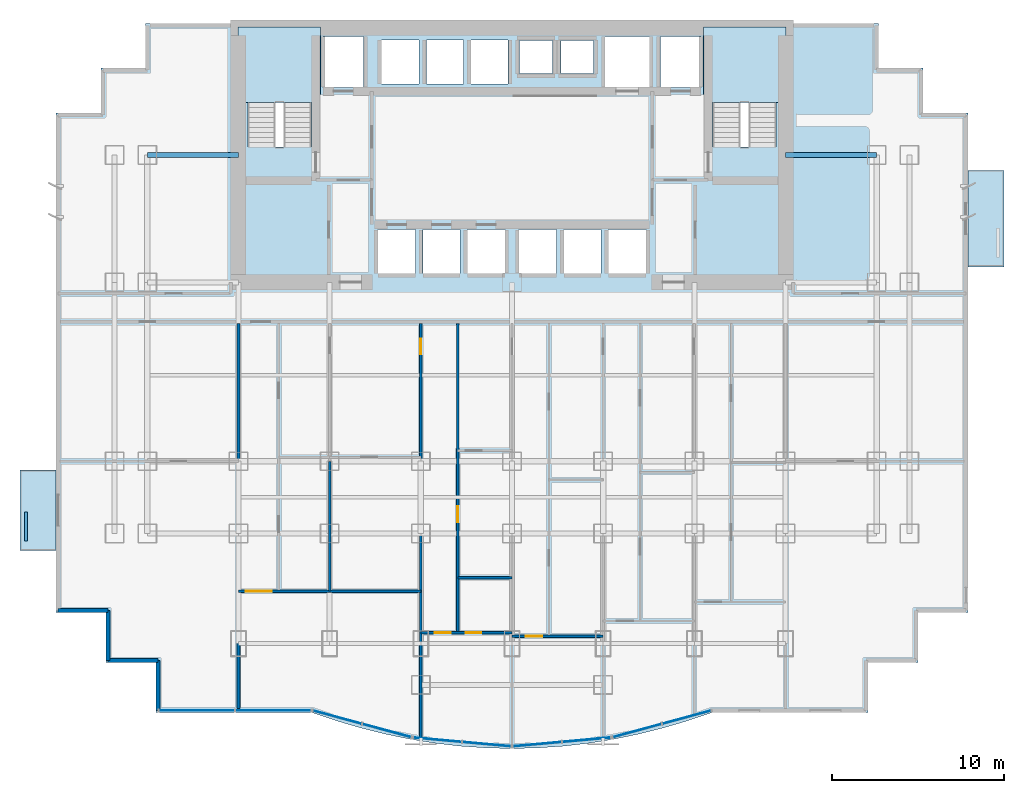
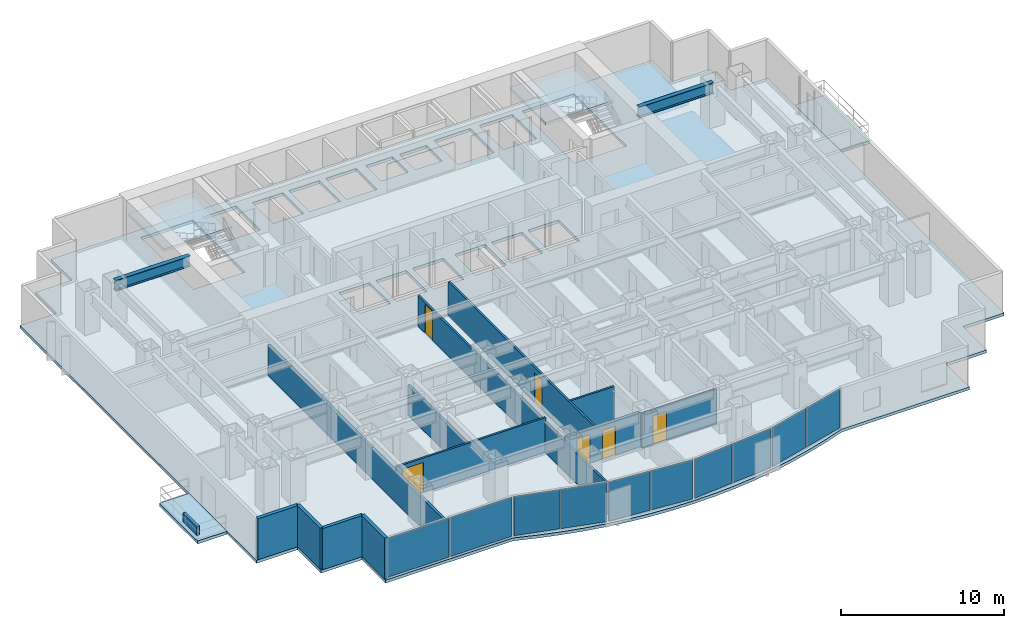
# One storey, part 4 of 10: 13 walls, 10 plates, 6 doors, 5 slabs, 2 beams, 6 openings, 7 elements without a shape of their own.
"""IFC4 building model written with IfcOpenShell, lengths in metres."""

from ifc_helpers import new_model, si_unit, direction, frame, frame_2d, origin, origin_2d, place, context, subcontext, project, spatial, polyline, rectangle, i_section, outline, extrude, source, transform, mapped, material, layer, layer_set, material_profile, profile_set, type_object, element, fill, aggregate, save


model = new_model("IFC4")

# Units and contexts
model_context = context("Model", 3, precision=1e-05, world=origin(), true_north=direction((0.0, 1.0)))
body_context = subcontext(model_context, "Body", "Model", "MODEL_VIEW")
ifc_project = project(units=[si_unit("LENGTHUNIT", "METRE"), si_unit("AREAUNIT", "SQUARE_METRE"), si_unit("VOLUMEUNIT", "CUBIC_METRE"), si_unit("PLANEANGLEUNIT", "RADIAN"), si_unit("MASSUNIT", "GRAM", prefix="KILO")], contexts=[model_context])

# Site, building, storey
site_placement = place(None, origin())
site = spatial("IfcSite", under=ifc_project, at=site_placement, CompositionType="ELEMENT")
building_placement = place(site_placement, origin())
building = spatial("IfcBuilding", under=site, at=building_placement, Name="Qianlan Lanfeng Residences", CompositionType="ELEMENT")
storey_placement = place(building_placement, frame((0.0, 0.0, 57.199951171875)))
storey = spatial("IfcBuildingStorey", under=building, at=storey_placement, Name="L15", CompositionType="ELEMENT", Elevation=57.199951171875)

# Beams
ifc_material_1 = material(Name="Steel SN490B", Category="steel")
ifc_material_profile = material_profile(ifc_material_1, i_section(OverallWidth=0.300048828125, OverallDepth=0.800048828125, WebThickness=0.01611328125, FlangeThickness=0.028076171875, at=origin_2d()), Name="H 800x300x16x28")
ifc_profile_set = profile_set([ifc_material_profile], Name="Steel SN490B")
beam_type = type_object("IfcBeamType", Name="G-950", PredefinedType="BEAM", material=ifc_profile_set)
for number, where, z_axis, x_axis, name in (
    (1, (5.300048828125, 32.60009765625, 2.679931640625), (1.0, 0.0, 0.0), (0.0, 1.0, 0.0), "Structural beam G-950"),
    (2, (42.39990234375, 32.60009765625, 2.679931640625), (1.0, 0.0, 0.0), (0.0, 1.0, 0.0), "Structural beam G-950"),
):
    element("IfcBeam", number, at=place(storey_placement, frame(where, z_axis=z_axis, x_axis=x_axis)), inside=storey, type_object=beam_type, Name=name, PredefinedType="BEAM", context=body_context, shape_type="SweptSolid", body=[
        extrude(i_section(OverallWidth=0.300048828125, OverallDepth=0.800048828125, WebThickness=0.01611328125, FlangeThickness=0.028076171875, at=origin_2d()), origin(), (0.0, 0.0, 1.0), 5.300048828125),
    ])

# Slabs
ifc_material_2 = material(Name="Concrete C42", Category="concrete")
ifc_layer_1 = layer(ifc_material_2, 0.219970703125)
ifc_layer_set_1 = layer_set([ifc_layer_1], Name="Concrete C42")
slab_type_1 = type_object("IfcSlabType", Name="S-BAL-220", PredefinedType="FLOOR", material=ifc_layer_set_1)
slab_1_placement = place(storey_placement, frame((0.0, 0.0, -0.219970703125)))
element("IfcSlab", 3, at=slab_1_placement, inside=storey, type_object=slab_type_1, Name="L15 Planted Tree Balcony Slab WB-S", PredefinedType="FLOOR", context=body_context, shape_type="SweptSolid", body=[
    extrude(outline(polyline([(0.0, 9.60009765625), (0.0, 14.300048828125), (-2.10009765625, 14.300048828125), (-2.10009765625, 9.60009765625), (0.0, 9.60009765625)])), origin(), (0.0, 0.0, 1.0), 0.219970703125),
])
slab_2_placement = place(storey_placement, frame((0.0, 0.0, -0.219970703125)))
element("IfcSlab", 4, at=slab_2_placement, inside=storey, type_object=slab_type_1, Name="L15 Planted Tree Balcony Slab EB-N", PredefinedType="FLOOR", context=body_context, shape_type="SweptSolid", body=[
    extrude(outline(polyline([(53.0, 31.699951171875), (53.0, 26.10009765625), (55.10009765625, 26.10009765625), (55.10009765625, 31.699951171875), (53.0, 31.699951171875)])), origin(), (0.0, 0.0, 1.0), 0.219970703125),
])
ifc_layer_2 = layer(ifc_material_2, 0.219970703125)
ifc_layer_set_2 = layer_set([ifc_layer_2], Name="Concrete C42")
slab_type_2 = type_object("IfcSlabType", Name="S-FL-220", PredefinedType="FLOOR", material=ifc_layer_set_2)
slab_3_placement = place(storey_placement, frame((0.0, 0.0, -0.219970703125)))
element("IfcSlab", 5, at=slab_3_placement, inside=storey, type_object=slab_type_2, Name="L15 Structural Floor Slab", PredefinedType="FLOOR", context=body_context, shape_type="SweptSolid", body=[
    extrude(outline(polyline([(0.0, 6.0), (2.89990234375, 6.0), (2.89990234375, 3.10009765625), (5.800048828125, 3.10009765625), (5.800048828125, 0.199951171875), (14.85009765625, 0.199951171875), (16.305908203125, -0.2919921875), (17.761962890625, -0.718994140625), (19.218994140625, -1.080078125), (20.675048828125, -1.375), (22.131103515625, -1.60498046875), (23.5869140625, -1.76904296875), (25.0439453125, -1.866943359375), (26.5, -1.89990234375), (27.9560546875, -1.866943359375), (29.412109375, -1.76904296875), (30.868896484375, -1.60498046875), (32.324951171875, -1.375), (33.781005859375, -1.080078125), (35.237060546875, -0.718994140625), (36.694091796875, -0.2919921875), (38.14990234375, 0.199951171875), (47.199951171875, 0.199951171875), (47.199951171875, 3.10009765625), (50.10009765625, 3.10009765625), (50.10009765625, 6.0), (53.0, 6.0), (53.0, 35.050048828125), (50.39990234375, 35.050048828125), (50.39990234375, 37.64990234375), (47.800048828125, 37.64990234375), (47.800048828125, 40.25), (5.199951171875, 40.25), (5.199951171875, 37.64990234375), (2.60009765625, 37.64990234375), (2.60009765625, 35.050048828125), (0.0, 35.050048828125), (0.0, 6.0)]), holes=[polyline([(11.139892578125, 33.080078125), (11.139892578125, 39.5), (14.820068359375, 39.5), (14.820068359375, 33.080078125), (11.139892578125, 33.080078125)]), polyline([(38.179931640625, 33.080078125), (38.179931640625, 39.5), (41.860107421875, 39.5), (41.860107421875, 33.080078125), (38.179931640625, 33.080078125)]), polyline([(15.52001953125, 36.52001953125), (15.52001953125, 39.47998046875), (17.8798828125, 39.47998046875), (17.8798828125, 36.52001953125), (15.52001953125, 36.52001953125)]), polyline([(35.1201171875, 36.52001953125), (35.1201171875, 39.47998046875), (37.47998046875, 39.47998046875), (37.47998046875, 36.52001953125), (35.1201171875, 36.52001953125)]), polyline([(31.919921875, 36.52001953125), (31.919921875, 39.47998046875), (34.47998046875, 39.47998046875), (34.47998046875, 36.52001953125), (31.919921875, 36.52001953125)]), polyline([(18.719970703125, 25.719970703125), (18.719970703125, 28.280029296875), (20.8798828125, 28.280029296875), (20.8798828125, 25.719970703125), (18.719970703125, 25.719970703125)]), polyline([(21.320068359375, 25.719970703125), (21.320068359375, 28.280029296875), (23.47998046875, 28.280029296875), (23.47998046875, 25.719970703125), (21.320068359375, 25.719970703125)]), polyline([(23.919921875, 25.719970703125), (23.919921875, 28.280029296875), (26.080078125, 28.280029296875), (26.080078125, 25.719970703125), (23.919921875, 25.719970703125)]), polyline([(26.919921875, 25.719970703125), (26.919921875, 28.280029296875), (29.080078125, 28.280029296875), (29.080078125, 25.719970703125), (26.919921875, 25.719970703125)]), polyline([(29.52001953125, 25.719970703125), (29.52001953125, 28.280029296875), (31.679931640625, 28.280029296875), (31.679931640625, 25.719970703125), (29.52001953125, 25.719970703125)]), polyline([(32.1201171875, 25.719970703125), (32.1201171875, 28.280029296875), (34.280029296875, 28.280029296875), (34.280029296875, 25.719970703125), (32.1201171875, 25.719970703125)]), polyline([(18.919921875, 36.719970703125), (18.919921875, 39.280029296875), (21.080078125, 39.280029296875), (21.080078125, 36.719970703125), (18.919921875, 36.719970703125)]), polyline([(21.52001953125, 36.719970703125), (21.52001953125, 39.280029296875), (23.679931640625, 39.280029296875), (23.679931640625, 36.719970703125), (21.52001953125, 36.719970703125)]), polyline([(24.1201171875, 36.719970703125), (24.1201171875, 39.280029296875), (26.280029296875, 39.280029296875), (26.280029296875, 36.719970703125), (24.1201171875, 36.719970703125)]), polyline([(26.949951171875, 37.35009765625), (26.949951171875, 39.25), (28.85009765625, 39.25), (28.85009765625, 37.35009765625), (26.949951171875, 37.35009765625)]), polyline([(29.35009765625, 37.35009765625), (29.35009765625, 39.25), (31.25, 39.25), (31.25, 37.35009765625), (29.35009765625, 37.35009765625)])]), origin(), (0.0, 0.0, 1.0), 0.219970703125),
])

# Stair, slab
stair_type = type_object("IfcStairType", Name="STR-MAIN", PredefinedType="HALF_TURN_STAIR", material=ifc_material_2)
stair_1_placement = place(storey_placement, origin())
stair_1 = element("IfcStair", 6, at=stair_1_placement, inside=storey, type_object=stair_type, Name="L15 Exit Stair ST-1", PredefinedType="HALF_TURN_STAIR")
ifc_layer_3 = layer(ifc_material_2, 0.179931640625)
ifc_layer_set_3 = layer_set([ifc_layer_3], Name="Concrete C42")
slab_type_3 = type_object("IfcSlabType", Name="S-LND-180", PredefinedType="LANDING", material=ifc_layer_set_3)
slab_4_placement = place(storey_placement, frame((0.0, 0.0, 1.449951171875)))
slab_4 = element("IfcSlab", 7, at=slab_4_placement, type_object=slab_type_3, Name="ST-1 landing 1", PredefinedType="LANDING", context=body_context, shape_type="SweptSolid", body=[
    extrude(outline(polyline([(10.580078125, 35.659912109375), (15.3798828125, 35.659912109375), (15.3798828125, 40.050048828125), (10.580078125, 40.050048828125), (10.580078125, 35.659912109375)])), origin(), (0.0, 0.0, 1.0), 0.2001953125),
])
aggregate(stair_1, [slab_4])

stair_2_placement = place(storey_placement, origin())
stair_2 = element("IfcStair", 8, at=stair_2_placement, inside=storey, type_object=stair_type, Name="L15 Exit Stair ST-2", PredefinedType="HALF_TURN_STAIR")
slab_5_placement = place(storey_placement, frame((0.0, 0.0, 1.449951171875)))
slab_5 = element("IfcSlab", 9, at=slab_5_placement, type_object=slab_type_3, Name="ST-2 landing 1", PredefinedType="LANDING", context=body_context, shape_type="SweptSolid", body=[
    extrude(outline(polyline([(37.6201171875, 35.659912109375), (42.419921875, 35.659912109375), (42.419921875, 40.050048828125), (37.6201171875, 40.050048828125), (37.6201171875, 35.659912109375)])), origin(), (0.0, 0.0, 1.0), 0.2001953125),
])
aggregate(stair_2, [slab_5])

# Curtain wall, plate
ifc_material_3 = material(Name="Anodised Bronze Aluminium 6063-T6", Category="aluminium")
ifc_layer_4 = layer(ifc_material_3, 0.219970703125)
ifc_layer_set_4 = layer_set([ifc_layer_4], Name="Anodised Bronze Aluminium 6063-T6")
curtain_wall_type = type_object("IfcCurtainWallType", Name="CW-02", PredefinedType="NOTDEFINED", material=ifc_layer_set_4)
curtain_wall_1_placement = place(storey_placement, origin())
curtain_wall_1 = element("IfcCurtainWall", 10, at=curtain_wall_1_placement, inside=storey, type_object=curtain_wall_type, Name="L15 Unitised Curtain Wall CWR-L15-04 (CW-02)", PredefinedType="NOTDEFINED")
ifc_material_4 = material(Name="Perforated Anodised Bronze Aluminium Panel", Category="aluminium")
ifc_layer_5 = layer(ifc_material_4, 0.0419921875)
ifc_layer_set_5 = layer_set([ifc_layer_5], Name="Perforated Anodised Bronze Aluminium Panel")
plate_type_1 = type_object("IfcPlateType", Name="PNL-PRF-BRZ", PredefinedType="CURTAIN_PANEL", material=ifc_layer_set_5)
shared_shape_1 = source(origin(), body_context, "Body", "SweptSolid", [
    extrude(rectangle(XDim=2.795654296875, YDim=0.0419921875, at=origin_2d()), origin(), (0.0, 0.0, 1.0), 2.922119140625),
])
plate_1_placement = place(storey_placement, frame((30.8330078125, -1.389404296875, 0.0791015625), z_axis=(0.0, 0.0, 1.0), x_axis=(0.995964677764, 0.089746089862, 0.0)))
plate_1 = element("IfcPlate", 11, at=plate_1_placement, type_object=plate_type_1, Name="CWR-L15-04 Curtain Panel 2", PredefinedType="CURTAIN_PANEL", context=body_context, shape_type="MappedRepresentation", body=[
    mapped(shared_shape_1, transform((0.0, 0.0, 0.0), scale=1.0)),
])

curtain_wall_2_placement = place(storey_placement, origin())
curtain_wall_2 = element("IfcCurtainWall", 12, at=curtain_wall_2_placement, inside=storey, type_object=curtain_wall_type, Name="L15 Unitised Curtain Wall CWR-L15-02 (CW-02)", PredefinedType="NOTDEFINED")
shared_shape_2 = source(origin(), body_context, "Body", "SweptSolid", [
    extrude(rectangle(XDim=2.89990234375, YDim=0.0419921875, at=origin_2d()), origin(), (0.0, 0.0, 1.0), 2.922119140625),
])
plate_2_placement = place(storey_placement, frame((19.22021484375, -0.857421875, 0.0791015625), z_axis=(0.0, 0.0, 1.0), x_axis=(0.9652627173, -0.261281240412, 0.0)))
plate_2 = element("IfcPlate", 13, at=plate_2_placement, type_object=plate_type_1, Name="CWR-L15-02 Curtain Panel 2", PredefinedType="CURTAIN_PANEL", context=body_context, shape_type="MappedRepresentation", body=[
    mapped(shared_shape_2, transform((0.0, 0.0, 0.0), scale=1.0)),
])

# Curtain wall, plates
curtain_wall_3_placement = place(storey_placement, origin())
curtain_wall_3 = element("IfcCurtainWall", 14, at=curtain_wall_3_placement, inside=storey, type_object=curtain_wall_type, Name="L15 Unitised Curtain Wall CWR-L15-01 (CW-02)", PredefinedType="NOTDEFINED")
ifc_material_5 = material(Name="Clear Low-E Insulated Glass", Category="glass")
ifc_layer_6 = layer(ifc_material_5, 0.035888671875)
ifc_layer_set_6 = layer_set([ifc_layer_6], Name="Clear Low-E Insulated Glass")
plate_type_2 = type_object("IfcPlateType", Name="PNL-GLZ-CLR", PredefinedType="CURTAIN_PANEL", material=ifc_layer_set_6)
shared_shape_3 = source(origin(), body_context, "Body", "SweptSolid", [
    extrude(rectangle(XDim=4.35693359375, YDim=0.035888671875, at=origin_2d()), origin(), (0.0, 0.0, 1.0), 2.922119140625),
])
plate_3_placement = place(storey_placement, frame((8.177490234375, 0.320068359375, 0.0791015625), z_axis=(0.0, 0.0, 1.0), x_axis=(1.0, 0.0, 0.0)))
plate_3 = element("IfcPlate", 15, at=plate_3_placement, type_object=plate_type_2, Name="CWR-L15-01 Curtain Panel 1", PredefinedType="CURTAIN_PANEL", context=body_context, shape_type="MappedRepresentation", body=[
    mapped(shared_shape_3, transform((0.0, 0.0, 0.0), scale=1.0)),
])
plate_4_placement = place(storey_placement, frame((12.612548828125, 0.320068359375, 0.0791015625), z_axis=(0.0, 0.0, 1.0), x_axis=(1.0, 0.0, 0.0)))
plate_4 = element("IfcPlate", 16, at=plate_4_placement, type_object=plate_type_2, Name="CWR-L15-01 Curtain Panel 2", PredefinedType="CURTAIN_PANEL", context=body_context, shape_type="MappedRepresentation", body=[
    mapped(shared_shape_3, transform((0.0, 0.0, 0.0), scale=1.0)),
])
aggregate(curtain_wall_3, [plate_3, plate_4])

# Plate
shared_shape_4 = source(origin(), body_context, "Body", "SweptSolid", [
    extrude(rectangle(XDim=2.89990234375, YDim=0.035888671875, at=origin_2d()), origin(), (0.0, 0.0, 1.0), 2.922119140625),
])
plate_5_placement = place(storey_placement, frame((16.345703125, -0.07958984375, 0.0791015625), z_axis=(0.0, 0.0, 1.0), x_axis=(0.9652627173, -0.261281240412, 0.0)))
plate_5 = element("IfcPlate", 17, at=plate_5_placement, type_object=plate_type_2, Name="CWR-L15-02 Curtain Panel 1", PredefinedType="CURTAIN_PANEL", context=body_context, shape_type="MappedRepresentation", body=[
    mapped(shared_shape_4, transform((0.0, 0.0, 0.0), scale=1.0)),
])

aggregate(curtain_wall_2, [plate_5, plate_2])

# Curtain wall, plates
curtain_wall_4_placement = place(storey_placement, origin())
curtain_wall_4 = element("IfcCurtainWall", 18, at=curtain_wall_4_placement, inside=storey, type_object=curtain_wall_type, Name="L15 Unitised Curtain Wall CWR-L15-05 (CW-02)", PredefinedType="NOTDEFINED")
plate_6_placement = place(storey_placement, frame((33.77978515625, -0.857421875, 0.0791015625), z_axis=(0.0, 0.0, 1.0), x_axis=(0.9652627173, 0.261281240412, 0.0)))
plate_6 = element("IfcPlate", 19, at=plate_6_placement, type_object=plate_type_2, Name="CWR-L15-05 Curtain Panel 1", PredefinedType="CURTAIN_PANEL", context=body_context, shape_type="MappedRepresentation", body=[
    mapped(shared_shape_4, transform((0.0, 0.0, 0.0), scale=1.0)),
])
plate_7_placement = place(storey_placement, frame((36.654296875, -0.07958984375, 0.0791015625), z_axis=(0.0, 0.0, 1.0), x_axis=(0.9652627173, 0.261281240412, 0.0)))
plate_7 = element("IfcPlate", 20, at=plate_7_placement, type_object=plate_type_2, Name="CWR-L15-05 Curtain Panel 2", PredefinedType="CURTAIN_PANEL", context=body_context, shape_type="MappedRepresentation", body=[
    mapped(shared_shape_4, transform((0.0, 0.0, 0.0), scale=1.0)),
])
aggregate(curtain_wall_4, [plate_6, plate_7])

# Curtain wall, plate
curtain_wall_5_placement = place(storey_placement, origin())
curtain_wall_5 = element("IfcCurtainWall", 21, at=curtain_wall_5_placement, inside=storey, type_object=curtain_wall_type, Name="L15 Unitised Curtain Wall CWR-L15-03 (CW-02)", PredefinedType="NOTDEFINED")
shared_shape_5 = source(origin(), body_context, "Body", "SweptSolid", [
    extrude(rectangle(XDim=2.7958984375, YDim=0.035888671875, at=origin_2d()), origin(), (0.0, 0.0, 1.0), 2.922119140625),
])
plate_8_placement = place(storey_placement, frame((22.1669921875, -1.389404296875, 0.0791015625), z_axis=(0.0, 0.0, 1.0), x_axis=(0.995964677764, -0.089746089862, 0.0)))
plate_8 = element("IfcPlate", 22, at=plate_8_placement, type_object=plate_type_2, Name="CWR-L15-03 Curtain Panel 1", PredefinedType="CURTAIN_PANEL", context=body_context, shape_type="MappedRepresentation", body=[
    mapped(shared_shape_5, transform((0.0, 0.0, 0.0), scale=1.0)),
])

# Plate
plate_9_placement = place(storey_placement, frame((27.970947265625, -1.6474609375, 0.0791015625), z_axis=(0.0, 0.0, 1.0), x_axis=(0.995964677764, 0.089746089862, 0.0)))
plate_9 = element("IfcPlate", 23, at=plate_9_placement, type_object=plate_type_2, Name="CWR-L15-04 Curtain Panel 1", PredefinedType="CURTAIN_PANEL", context=body_context, shape_type="MappedRepresentation", body=[
    mapped(shared_shape_5, transform((0.0, 0.0, 0.0), scale=1.0)),
])

aggregate(curtain_wall_1, [plate_9, plate_1])

shared_shape_6 = source(origin(), body_context, "Body", "SweptSolid", [
    extrude(rectangle(XDim=2.795654296875, YDim=0.035888671875, at=origin_2d()), origin(), (0.0, 0.0, 1.0), 2.922119140625),
])
plate_10_placement = place(storey_placement, frame((25.029052734375, -1.6474609375, 0.0791015625), z_axis=(0.0, 0.0, 1.0), x_axis=(0.995964677764, -0.089746089862, 0.0)))
plate_10 = element("IfcPlate", 24, at=plate_10_placement, type_object=plate_type_2, Name="CWR-L15-03 Curtain Panel 2", PredefinedType="CURTAIN_PANEL", context=body_context, shape_type="MappedRepresentation", body=[
    mapped(shared_shape_6, transform((0.0, 0.0, 0.0), scale=1.0)),
])

aggregate(curtain_wall_5, [plate_8, plate_10])

# Walls
ifc_layer_7 = layer(ifc_material_2, 0.239990234375)
ifc_layer_set_7 = layer_set([ifc_layer_7], Name="Concrete C42")
wall_type_1 = type_object("IfcWallType", Name="EW-240", PredefinedType="SOLIDWALL", material=ifc_layer_set_7)
wall_1_placement = place(storey_placement, frame((0.1201171875, 6.1201171875, 0.0), z_axis=(0.0, 0.0, 1.0), x_axis=(1.0, 0.0, 0.0)))
element("IfcWall", 25, at=wall_1_placement, inside=storey, type_object=wall_type_1, Name="L15 Exterior Facade Spandrel Wall 1", PredefinedType="SOLIDWALL", context=body_context, shape_type="SweptSolid", body=[
    extrude(rectangle(XDim=2.89990234375, YDim=0.239990234375, at=frame_2d((1.449951171875, 0.0))), origin(), (0.0, 0.0, 1.0), 3.080078125),
])
wall_2_placement = place(storey_placement, frame((3.02001953125, 6.1201171875, 0.0), z_axis=(0.0, 0.0, 1.0), x_axis=(0.0, -1.0, 0.0)))
element("IfcWall", 26, at=wall_2_placement, inside=storey, type_object=wall_type_1, Name="L15 Exterior Facade Spandrel Wall 2", PredefinedType="SOLIDWALL", context=body_context, shape_type="SweptSolid", body=[
    extrude(rectangle(XDim=2.900146484375, YDim=0.239990234375, at=frame_2d((1.4501953125, 0.0))), origin(), (0.0, 0.0, 1.0), 3.080078125),
])
for number, where, z_axis, x_axis, name in (
    (27, (3.02001953125, 3.219970703125, 0.0), (0.0, 0.0, 1.0), (1.0, 0.0, 0.0), "L15 Exterior Facade Spandrel Wall 3"),
    (28, (5.919921875, 3.219970703125, 0.0), (0.0, 0.0, 1.0), (0.0, -1.0, 0.0), "L15 Exterior Facade Spandrel Wall 4"),
):
    element("IfcWall", number, at=place(storey_placement, frame(where, z_axis=z_axis, x_axis=x_axis)), inside=storey, type_object=wall_type_1, Name=name, PredefinedType="SOLIDWALL", context=body_context, shape_type="SweptSolid", body=[
        extrude(rectangle(XDim=2.89990234375, YDim=0.239990234375, at=frame_2d((1.449951171875, 0.0))), origin(), (0.0, 0.0, 1.0), 3.080078125),
    ])
ifc_layer_8 = layer(ifc_material_2, 0.199951171875)
ifc_layer_set_8 = layer_set([ifc_layer_8], Name="Concrete C42")
wall_type_2 = type_object("IfcWallType", Name="PL-TREE-200", PredefinedType="PARAPET", material=ifc_layer_set_8)
wall_3_placement = place(storey_placement, frame((-1.75, 10.14990234375, 0.0), z_axis=(0.0, 0.0, 1.0), x_axis=(0.0, 1.0, 0.0)))
element("IfcWall", 29, at=wall_3_placement, inside=storey, type_object=wall_type_2, Name="L15 West Tree Planter Curb WB-S", PredefinedType="PARAPET", context=body_context, shape_type="SweptSolid", body=[
    extrude(rectangle(XDim=1.7001953125, YDim=0.199951171875, at=frame_2d((0.85009765625, 0.0))), origin(), (0.0, 0.0, 1.0), 0.650146484375),
])

# Wall, opening, door
ifc_material_6 = material(Name="Moisture-Resistant Gypsum Partition 135 mm")
ifc_layer_9 = layer(ifc_material_6, 0.135009765625)
ifc_layer_set_9 = layer_set([ifc_layer_9], Name="Moisture-Resistant Gypsum Partition 135 mm")
wall_type_3 = type_object("IfcWallType", Name="PW-135", PredefinedType="PARTITIONING", material=ifc_layer_set_9)
wall_4_placement = place(storey_placement, frame((21.199951171875, -1.235107421875, 0.0), z_axis=(0.0, 0.0, 1.0), x_axis=(0.0, 1.0, 0.0)))
wall_4 = element("IfcWall", 30, at=wall_4_placement, inside=storey, type_object=wall_type_3, Name="L15 U01 Bay Spine Wall 2", PredefinedType="PARTITIONING", context=body_context, shape_type="SweptSolid", body=[
    extrude(rectangle(XDim=24.03515625, YDim=0.135009765625, at=frame_2d((12.017578125, 0.0))), origin(), (0.0, 0.0, 1.0), 2.275146484375),
])
opening_1_placement = place(wall_4_placement, frame((22.25, 0.0, 0.0)))
opening_1 = element("IfcOpeningElement", 31, at=opening_1_placement, cuts=wall_4, Name="Opening L15-D15", PredefinedType="OPENING", context=body_context, shape_type="SweptSolid", body=[
    extrude(rectangle(XDim=0.919921875, YDim=2.14990234375, at=frame_2d((0.4599609375, 1.074951171875))), frame((0.0, 0.07763671875, 0.0), z_axis=(0.0, -1.0, 0.0), x_axis=(1.0, 0.0, 0.0)), (0.0, 0.0, 1.0), 0.155029296875),
])
ifc_material_7 = material(Name="Glazed Timber Kitchen/Study Door", Category="wood")
door_type_1 = type_object("IfcDoorType", Name="DT-INT", OperationType="NOTDEFINED", PredefinedType="DOOR", material=ifc_material_7)
door_1_placement = place(opening_1_placement, origin())
door_1 = element("IfcDoor", 32, at=door_1_placement, inside=storey, type_object=door_type_1, Name="L15 U01 Internal Hall Door L15-D15 (DT-INT)", OperationType="SINGLE_SWING_RIGHT", OverallHeight=2.14990234375, OverallWidth=0.919921875, PredefinedType="DOOR", context=body_context, shape_type="SweptSolid", body=[
    extrude(rectangle(XDim=0.919921875, YDim=2.14990234375, at=frame_2d((0.4599609375, 1.074951171875))), frame((0.0, 0.02490234375, 0.0), z_axis=(0.0, -1.0, 0.0), x_axis=(1.0, 0.0, 0.0)), (0.0, 0.0, 1.0), 0.050048828125),
])
fill(opening_1, door_1)

# Wall
wall_5_placement = place(storey_placement, frame((15.89990234375, 7.2470703125, 0.0), z_axis=(0.0, 0.0, 1.0), x_axis=(0.0, 1.0, 0.0)))
element("IfcWall", 33, at=wall_5_placement, inside=storey, type_object=wall_type_3, Name="L15 U01 Mid Column Wall", PredefinedType="PARTITIONING", context=body_context, shape_type="SweptSolid", body=[
    extrude(rectangle(XDim=7.552978515625, YDim=0.135009765625, at=frame_2d((3.7763671875, 0.0))), origin(), (0.0, 0.0, 1.0), 2.275146484375),
])

# Wall, opening, door
wall_6_placement = place(storey_placement, frame((10.60009765625, 7.2470703125, 0.0), z_axis=(0.0, 0.0, 1.0), x_axis=(1.0, 0.0, 0.0)))
wall_6 = element("IfcWall", 34, at=wall_6_placement, inside=storey, type_object=wall_type_3, Name="L15 U01 Grand Living North Wall", PredefinedType="PARTITIONING", context=body_context, shape_type="SweptSolid", body=[
    extrude(rectangle(XDim=10.599853515625, YDim=0.135009765625, at=frame_2d((5.2998046875, 0.0))), origin(), (0.0, 0.0, 1.0), 2.570068359375),
])
opening_2_placement = place(wall_6_placement, frame((0.425048828125, 0.0, 0.0)))
opening_2 = element("IfcOpeningElement", 35, at=opening_2_placement, cuts=wall_6, Name="Opening L15-D19", PredefinedType="OPENING", context=body_context, shape_type="SweptSolid", body=[
    extrude(rectangle(XDim=1.5, YDim=2.25, at=frame_2d((0.75, 1.125))), frame((0.0, 0.07763671875, 0.0), z_axis=(0.0, -1.0, 0.0), x_axis=(1.0, 0.0, 0.0)), (0.0, 0.0, 1.0), 0.155029296875),
])
ifc_material_8 = material(Name="Timber Veneer Acoustic Fire Door", Category="wood")
door_type_2 = type_object("IfcDoorType", Name="DT-COR1", OperationType="NOTDEFINED", PredefinedType="DOOR", material=ifc_material_8)
door_2_placement = place(opening_2_placement, origin())
door_2 = element("IfcDoor", 36, at=door_2_placement, inside=storey, type_object=door_type_2, Name="L15 U01 Grand Living Door L15-D19 (DT-COR1)", OperationType="DOUBLE_DOOR_SINGLE_SWING", OverallHeight=2.25, OverallWidth=1.5, PredefinedType="DOOR", context=body_context, shape_type="SweptSolid", body=[
    extrude(rectangle(XDim=1.5, YDim=2.25, at=frame_2d((0.75, 1.125))), frame((0.0, 0.02490234375, 0.0), z_axis=(0.0, -1.0, 0.0), x_axis=(1.0, 0.0, 0.0)), (0.0, 0.0, 1.0), 0.050048828125),
])
fill(opening_2, door_2)

# Wall, openings, doors
wall_7_placement = place(storey_placement, frame((21.199951171875, 4.833984375, 0.0), z_axis=(0.0, 0.0, 1.0), x_axis=(1.0, 0.0, 0.0)))
wall_7 = element("IfcWall", 37, at=wall_7_placement, inside=storey, type_object=wall_type_3, Name="L15 U01 Master Bedroom North Wall", PredefinedType="PARTITIONING", context=body_context, shape_type="SweptSolid", body=[
    extrude(rectangle(XDim=5.300048828125, YDim=0.135009765625, at=frame_2d((2.64990234375, 0.0))), origin(), (0.0, 0.0, 1.0), 2.570068359375),
])
opening_3_placement = place(wall_7_placement, frame((0.800048828125, 0.0, 0.0)))
opening_3 = element("IfcOpeningElement", 38, at=opening_3_placement, cuts=wall_7, Name="Opening L15-D23", PredefinedType="OPENING", context=body_context, shape_type="SweptSolid", body=[
    extrude(rectangle(XDim=0.949951171875, YDim=2.14990234375, at=frame_2d((0.47509765625, 1.074951171875))), frame((0.0, 0.07763671875, 0.0), z_axis=(0.0, -1.0, 0.0), x_axis=(1.0, 0.0, 0.0)), (0.0, 0.0, 1.0), 0.155029296875),
])
opening_4_placement = place(wall_7_placement, frame((2.625, 0.0, 0.0)))
opening_4 = element("IfcOpeningElement", 39, at=opening_4_placement, cuts=wall_7, Name="Opening L15-D24", PredefinedType="OPENING", context=body_context, shape_type="SweptSolid", body=[
    extrude(rectangle(XDim=0.89990234375, YDim=2.14990234375, at=frame_2d((0.449951171875, 1.074951171875))), frame((0.0, 0.07763671875, 0.0), z_axis=(0.0, -1.0, 0.0), x_axis=(1.0, 0.0, 0.0)), (0.0, 0.0, 1.0), 0.155029296875),
])
ifc_material_9 = material(Name="Painted Solid-Core Timber Leaf", Category="wood")
door_type_3 = type_object("IfcDoorType", Name="DT-BED", OperationType="NOTDEFINED", PredefinedType="DOOR", material=ifc_material_9)
door_3_placement = place(opening_3_placement, origin())
door_3 = element("IfcDoor", 40, at=door_3_placement, inside=storey, type_object=door_type_3, Name="L15 U01 Master Bedroom Door L15-D23 (DT-BED)", OperationType="SINGLE_SWING_LEFT", OverallHeight=2.14990234375, OverallWidth=0.949951171875, PredefinedType="DOOR", context=body_context, shape_type="SweptSolid", body=[
    extrude(rectangle(XDim=0.949951171875, YDim=2.14990234375, at=frame_2d((0.47509765625, 1.074951171875))), frame((0.0, 0.02490234375, 0.0), z_axis=(0.0, -1.0, 0.0), x_axis=(1.0, 0.0, 0.0)), (0.0, 0.0, 1.0), 0.050048828125),
])
fill(opening_3, door_3)
ifc_material_10 = material(Name="Moisture-Resistant Timber Leaf", Category="wood")
door_type_4 = type_object("IfcDoorType", Name="DT-WC", OperationType="NOTDEFINED", PredefinedType="DOOR", material=ifc_material_10)
door_4_placement = place(opening_4_placement, origin())
door_4 = element("IfcDoor", 41, at=door_4_placement, inside=storey, type_object=door_type_4, Name="L15 U01 En-Suite Bathroom Door L15-D24 (DT-WC)", OperationType="SINGLE_SWING_RIGHT", OverallHeight=2.14990234375, OverallWidth=0.89990234375, PredefinedType="DOOR", context=body_context, shape_type="SweptSolid", body=[
    extrude(rectangle(XDim=0.89990234375, YDim=2.14990234375, at=frame_2d((0.449951171875, 1.074951171875))), frame((0.0, 0.02490234375, 0.0), z_axis=(0.0, -1.0, 0.0), x_axis=(1.0, 0.0, 0.0)), (0.0, 0.0, 1.0), 0.050048828125),
])
fill(opening_4, door_4)

# Wall, opening, door
wall_8_placement = place(storey_placement, frame((23.35009765625, 4.833984375, 0.0), z_axis=(0.0, 0.0, 1.0), x_axis=(0.0, 1.0, 0.0)))
wall_8 = element("IfcWall", 42, at=wall_8_placement, inside=storey, type_object=wall_type_3, Name="L15 U01 Master Passage Wall", PredefinedType="PARTITIONING", context=body_context, shape_type="SweptSolid", body=[
    extrude(rectangle(XDim=17.966064453125, YDim=0.135009765625, at=frame_2d((8.98291015625, 0.0))), origin(), (0.0, 0.0, 1.0), 2.570068359375),
])
opening_5_placement = place(wall_8_placement, frame((6.430908203125, 0.0, 0.0)))
opening_5 = element("IfcOpeningElement", 43, at=opening_5_placement, cuts=wall_8, Name="Opening L15-D25", PredefinedType="OPENING", context=body_context, shape_type="SweptSolid", body=[
    extrude(rectangle(XDim=0.919921875, YDim=2.14990234375, at=frame_2d((0.4599609375, 1.074951171875))), frame((0.0, 0.07763671875, 0.0), z_axis=(0.0, -1.0, 0.0), x_axis=(1.0, 0.0, 0.0)), (0.0, 0.0, 1.0), 0.155029296875),
])
door_5_placement = place(opening_5_placement, origin())
door_5 = element("IfcDoor", 44, at=door_5_placement, inside=storey, type_object=door_type_1, Name="L15 U01 Wardrobe Door L15-D25 (DT-INT)", OperationType="SINGLE_SWING_RIGHT", OverallHeight=2.14990234375, OverallWidth=0.919921875, PredefinedType="DOOR", context=body_context, shape_type="SweptSolid", body=[
    extrude(rectangle(XDim=0.919921875, YDim=2.14990234375, at=frame_2d((0.4599609375, 1.074951171875))), frame((0.0, 0.02490234375, 0.0), z_axis=(0.0, -1.0, 0.0), x_axis=(1.0, 0.0, 0.0)), (0.0, 0.0, 1.0), 0.050048828125),
])
fill(opening_5, door_5)

# Wall
wall_9_placement = place(storey_placement, frame((23.35009765625, 8.033935546875, 0.0), z_axis=(0.0, 0.0, 1.0), x_axis=(1.0, 0.0, 0.0)))
element("IfcWall", 45, at=wall_9_placement, inside=storey, type_object=wall_type_3, Name="L15 U01 En-Suite North Wall", PredefinedType="PARTITIONING", context=body_context, shape_type="SweptSolid", body=[
    extrude(rectangle(XDim=3.14990234375, YDim=0.135009765625, at=frame_2d((1.574951171875, 0.0))), origin(), (0.0, 0.0, 1.0), 2.570068359375),
])

# Wall, opening, door
wall_10_placement = place(storey_placement, frame((26.5, 4.634033203125, 0.0), z_axis=(0.0, 0.0, 1.0), x_axis=(1.0, 0.0, 0.0)))
wall_10 = element("IfcWall", 46, at=wall_10_placement, inside=storey, type_object=wall_type_3, Name="L15 U01 Bedroom 3 North Wall", PredefinedType="PARTITIONING", context=body_context, shape_type="SweptSolid", body=[
    extrude(rectangle(XDim=5.300048828125, YDim=0.135009765625, at=frame_2d((2.64990234375, 0.0))), origin(), (0.0, 0.0, 1.0), 2.570068359375),
])
opening_6_placement = place(wall_10_placement, frame((0.800048828125, 0.0, 0.0)))
opening_6 = element("IfcOpeningElement", 47, at=opening_6_placement, cuts=wall_10, Name="Opening L15-D27", PredefinedType="OPENING", context=body_context, shape_type="SweptSolid", body=[
    extrude(rectangle(XDim=0.949951171875, YDim=2.14990234375, at=frame_2d((0.47509765625, 1.074951171875))), frame((0.0, 0.07763671875, 0.0), z_axis=(0.0, -1.0, 0.0), x_axis=(1.0, 0.0, 0.0)), (0.0, 0.0, 1.0), 0.155029296875),
])
door_6_placement = place(opening_6_placement, origin())
door_6 = element("IfcDoor", 48, at=door_6_placement, inside=storey, type_object=door_type_3, Name="L15 U01 Bedroom 3 Door L15-D27 (DT-BED)", OperationType="SINGLE_SWING_RIGHT", OverallHeight=2.14990234375, OverallWidth=0.949951171875, PredefinedType="DOOR", context=body_context, shape_type="SweptSolid", body=[
    extrude(rectangle(XDim=0.949951171875, YDim=2.14990234375, at=frame_2d((0.47509765625, 1.074951171875))), frame((0.0, 0.02490234375, 0.0), z_axis=(0.0, -1.0, 0.0), x_axis=(1.0, 0.0, 0.0)), (0.0, 0.0, 1.0), 0.050048828125),
])
fill(opening_6, door_6)

# Wall
ifc_material_11 = material(Name="Double-Layer Acoustic Gypsum Stud Wall 180 mm")
ifc_layer_10 = layer(ifc_material_11, 0.179931640625)
ifc_layer_set_10 = layer_set([ifc_layer_10], Name="Double-Layer Acoustic Gypsum Stud Wall 180 mm")
wall_type_4 = type_object("IfcWallType", Name="PW-180", PredefinedType="PARTITIONING", material=ifc_layer_set_10)
wall_11_placement = place(storey_placement, frame((10.60009765625, 0.419921875, 0.0), z_axis=(0.0, 0.0, 1.0), x_axis=(0.0, 1.0, 0.0)))
element("IfcWall", 49, at=wall_11_placement, inside=storey, type_object=wall_type_4, Name="L15 Wing Boundary Party Wall W0", PredefinedType="PARTITIONING", context=body_context, shape_type="SweptSolid", body=[
    extrude(rectangle(XDim=22.380126953125, YDim=0.179931640625, at=frame_2d((11.18994140625, 0.0))), origin(), (0.0, 0.0, 1.0), 2.275146484375),
])

save(model, "model.ifc")
